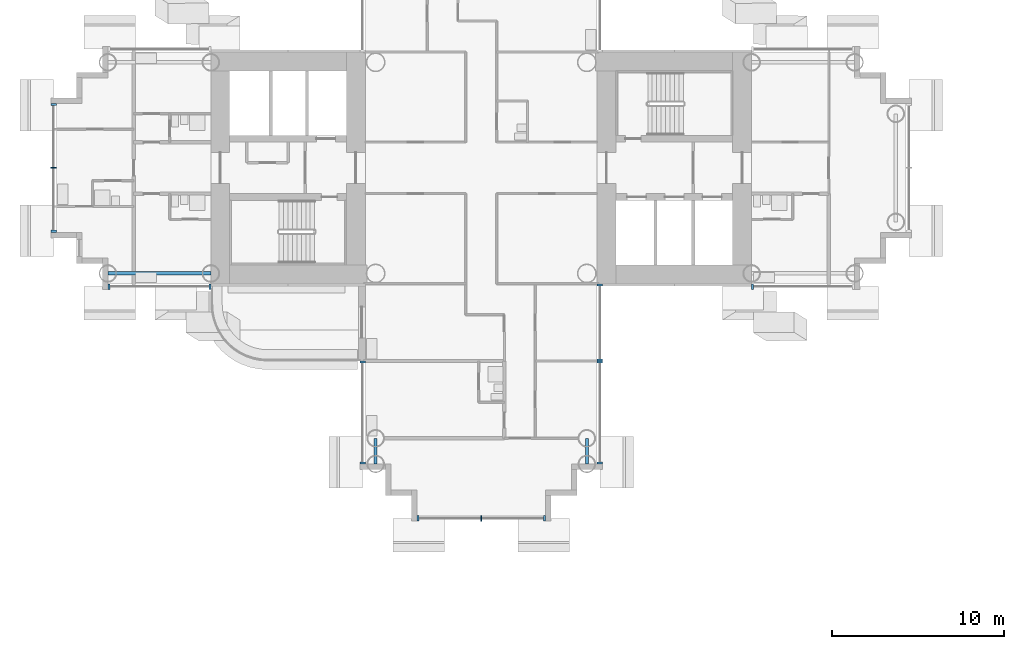
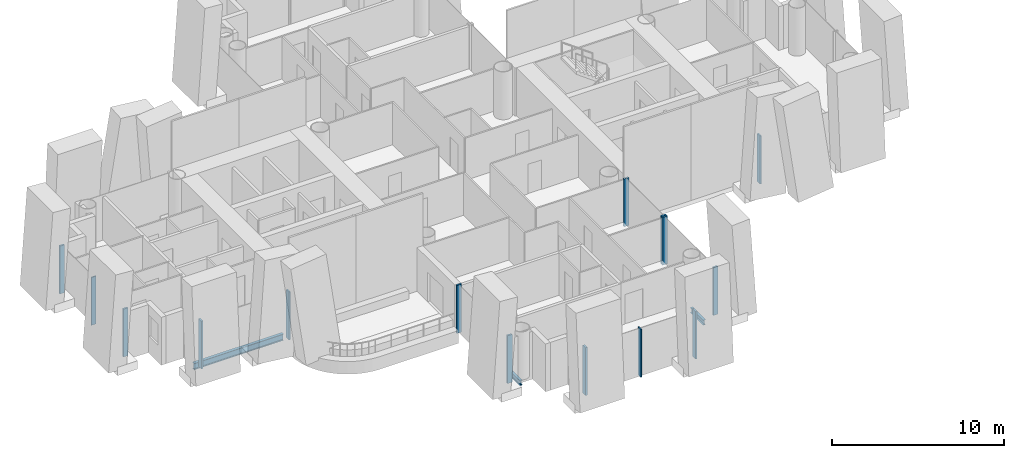
# One storey, part 3 of 24: 15 members, 3 beams, 7 elements without a shape of their own.
"""IFC4 building model written with IfcOpenShell, lengths in metres."""

from ifc_helpers import new_model, si_unit, direction, frame, origin, origin_2d, place, context, subcontext, project, spatial, rectangle, i_section, extrude, material, layer, layer_set, material_profile, profile_set, type_object, element, aggregate, save


model = new_model("IFC4")

# Units and contexts
model_context = context("Model", 3, precision=1e-05, world=origin(), true_north=direction((0.0, 1.0)))
body_context = subcontext(model_context, "Body", "Model", "MODEL_VIEW")
ifc_project = project(units=[si_unit("LENGTHUNIT", "METRE"), si_unit("AREAUNIT", "SQUARE_METRE"), si_unit("VOLUMEUNIT", "CUBIC_METRE"), si_unit("PLANEANGLEUNIT", "RADIAN"), si_unit("MASSUNIT", "GRAM", prefix="KILO")], contexts=[model_context])

# Site, building, storey
site_placement = place(None, origin())
site = spatial("IfcSite", under=ifc_project, at=site_placement, CompositionType="ELEMENT")
building_placement = place(site_placement, origin())
building = spatial("IfcBuilding", under=site, at=building_placement, Name="Ipe Terrace Towers", CompositionType="ELEMENT")
storey_placement = place(building_placement, frame((0.0, 0.0, 38.10009765625)))
storey = spatial("IfcBuildingStorey", under=building, at=storey_placement, Name="L09", CompositionType="ELEMENT", Elevation=38.10009765625)

# Beams
ifc_material_1 = material(Name="Steel S355", Category="steel")
ifc_material_profile_1 = material_profile(ifc_material_1, i_section(OverallWidth=0.175048828125, OverallDepth=0.35009765625, WebThickness=0.007080078125, FlangeThickness=0.010986328125, at=origin_2d()), Name="H-350x175x7x11")
ifc_profile_set_1 = profile_set([ifc_material_profile_1], Name="Steel S355")
beam_type_1 = type_object("IfcBeamType", Name="H04 EDGE BEAM H-350x175x7x11", PredefinedType="BEAM", material=ifc_profile_set_1)
for number, where, z_axis, x_axis, name in (
    (1, (-42.14990234375, -15.75, -0.5751953125), (0.0, -1.0, 0.0), (1.0, 0.0, 0.0), "Edge beam T1-EB-D03-D05"),
    (2, (-29.85009765625, -15.75, -0.5751953125), (0.0, -1.0, 0.0), (1.0, 0.0, 0.0), "Edge beam T1-EB-D04-D06"),
):
    element("IfcBeam", number, at=place(storey_placement, frame(where, z_axis=z_axis, x_axis=x_axis)), inside=storey, type_object=beam_type_1, Name=name, PredefinedType="BEAM", context=body_context, shape_type="SweptSolid", body=[
        extrude(i_section(OverallWidth=0.175048828125, OverallDepth=0.35009765625, WebThickness=0.007080078125, FlangeThickness=0.010986328125, at=origin_2d()), origin(), (0.0, 0.0, 1.0), 1.5),
    ])
ifc_material_2 = material(Name="Steel S355", Category="steel")
ifc_material_profile_2 = material_profile(ifc_material_2, i_section(OverallWidth=0.199951171875, OverallDepth=0.449951171875, WebThickness=0.009033203125, FlangeThickness=0.013916015625, at=origin_2d()), Name="H-450x200x9x14")
ifc_profile_set_2 = profile_set([ifc_material_profile_2], Name="Steel S355")
beam_type_2 = type_object("IfcBeamType", Name="H08 EDGE BEAM H-450x200x9x14", PredefinedType="BEAM", material=ifc_profile_set_2)
beam_placement = place(storey_placement, frame((-51.75, -6.14990234375, -0.625), z_axis=(-1.0, 0.0, 0.0), x_axis=(0.0, -1.0, 0.0)))
element("IfcBeam", 3, at=beam_placement, inside=storey, type_object=beam_type_2, Name="Edge beam T1-EB-C01-C03", PredefinedType="BEAM", context=body_context, shape_type="SweptSolid", body=[
    extrude(i_section(OverallWidth=0.199951171875, OverallDepth=0.449951171875, WebThickness=0.009033203125, FlangeThickness=0.013916015625, at=origin_2d()), origin(), (0.0, 0.0, 1.0), 6.0),
])

# Curtain wall, members
ifc_material_3 = material(Name="Aluminium alloy 6063-T6", Category="aluminium")
ifc_layer = layer(ifc_material_3, 0.320068359375)
ifc_layer_set = layer_set([ifc_layer], Name="TOWER UNITISED CURTAIN WALL")
curtain_wall_type = type_object("IfcCurtainWallType", Name="TOWER UNITISED CURTAIN WALL", PredefinedType="NOTDEFINED", material=ifc_layer_set)
curtain_wall_1_placement = place(storey_placement, origin())
curtain_wall_1 = element("IfcCurtainWall", 4, at=curtain_wall_1_placement, inside=storey, type_object=curtain_wall_type, Name="T1-CW-L09-04a curtain wall", PredefinedType="NOTDEFINED")
ifc_material_4 = material(Name="Aluminium alloy 6063-T6", Category="aluminium")
ifc_material_profile_3 = material_profile(ifc_material_4, rectangle(XDim=0.320068359375, YDim=0.1201171875, at=origin_2d()), Name="TOWER UNITISED CORNER MULLION 320 x 120")
ifc_profile_set_3 = profile_set([ifc_material_profile_3], Name="Aluminium alloy 6063-T6")
member_type_1 = type_object("IfcMemberType", Name="TOWER UNITISED CORNER MULLION 320 x 120", PredefinedType="MULLION", material=ifc_profile_set_3)
member_1_placement = place(storey_placement, frame((-57.68994140625, -6.909912109375, -0.300048828125), z_axis=(0.0, 0.0, 1.0), x_axis=(0.0, -1.0, 0.0)))
member_1 = element("IfcMember", 5, at=member_1_placement, type_object=member_type_1, Name="T1-CW-L09-04a mullion 1", PredefinedType="MULLION", context=body_context, shape_type="SweptSolid", body=[
    extrude(rectangle(XDim=0.320068359375, YDim=0.1201171875, at=origin_2d()), origin(), (0.0, 0.0, 1.0), 3.39990234375),
])
member_2_placement = place(storey_placement, frame((-51.81103515625, -6.909912109375, -0.300048828125), z_axis=(0.0, 0.0, 1.0), x_axis=(0.0, -1.0, 0.0)))
member_2 = element("IfcMember", 6, at=member_2_placement, type_object=member_type_1, Name="T1-CW-L09-04a mullion 2", PredefinedType="MULLION", context=body_context, shape_type="SweptSolid", body=[
    extrude(rectangle(XDim=0.320068359375, YDim=0.1201171875, at=origin_2d()), origin(), (0.0, 0.0, 1.0), 3.39990234375),
])
aggregate(curtain_wall_1, [member_1, member_2])

curtain_wall_2_placement = place(storey_placement, origin())
curtain_wall_2 = element("IfcCurtainWall", 7, at=curtain_wall_2_placement, inside=storey, type_object=curtain_wall_type, Name="T1-CW-L09-07a curtain wall", PredefinedType="NOTDEFINED")
member_3_placement = place(storey_placement, frame((-42.909912109375, -11.31005859375, -0.300048828125), z_axis=(0.0, 0.0, 1.0), x_axis=(-1.0, 0.0, 0.0)))
member_3 = element("IfcMember", 8, at=member_3_placement, type_object=member_type_1, Name="T1-CW-L09-07a mullion 1", PredefinedType="MULLION", context=body_context, shape_type="SweptSolid", body=[
    extrude(rectangle(XDim=0.320068359375, YDim=0.1201171875, at=origin_2d()), origin(), (0.0, 0.0, 1.0), 3.39990234375),
])
member_4_placement = place(storey_placement, frame((-42.909912109375, -17.18994140625, -0.300048828125), z_axis=(0.0, 0.0, 1.0), x_axis=(-1.0, 0.0, 0.0)))
member_4 = element("IfcMember", 9, at=member_4_placement, type_object=member_type_1, Name="T1-CW-L09-07a mullion 2", PredefinedType="MULLION", context=body_context, shape_type="SweptSolid", body=[
    extrude(rectangle(XDim=0.320068359375, YDim=0.1201171875, at=origin_2d()), origin(), (0.0, 0.0, 1.0), 3.39990234375),
])
aggregate(curtain_wall_2, [member_3, member_4])

curtain_wall_3_placement = place(storey_placement, origin())
curtain_wall_3 = element("IfcCurtainWall", 10, at=curtain_wall_3_placement, inside=storey, type_object=curtain_wall_type, Name="T1-CW-L09-12a curtain wall", PredefinedType="NOTDEFINED")
member_5_placement = place(storey_placement, frame((-39.68994140625, -20.409912109375, -0.300048828125), z_axis=(0.0, 0.0, 1.0), x_axis=(0.0, -1.0, 0.0)))
member_5 = element("IfcMember", 11, at=member_5_placement, type_object=member_type_1, Name="T1-CW-L09-12a mullion 1", PredefinedType="MULLION", context=body_context, shape_type="SweptSolid", body=[
    extrude(rectangle(XDim=0.320068359375, YDim=0.1201171875, at=origin_2d()), origin(), (0.0, 0.0, 1.0), 3.39990234375),
])
member_6_placement = place(storey_placement, frame((-32.31005859375, -20.409912109375, -0.300048828125), z_axis=(0.0, 0.0, 1.0), x_axis=(0.0, -1.0, 0.0)))
member_6 = element("IfcMember", 12, at=member_6_placement, type_object=member_type_1, Name="T1-CW-L09-12a mullion 3", PredefinedType="MULLION", context=body_context, shape_type="SweptSolid", body=[
    extrude(rectangle(XDim=0.320068359375, YDim=0.1201171875, at=origin_2d()), origin(), (0.0, 0.0, 1.0), 3.39990234375),
])

curtain_wall_4_placement = place(storey_placement, origin())
curtain_wall_4 = element("IfcCurtainWall", 13, at=curtain_wall_4_placement, inside=storey, type_object=curtain_wall_type, Name="T1-CW-L09-17a curtain wall", PredefinedType="NOTDEFINED")
member_7_placement = place(storey_placement, frame((-29.090087890625, -17.18994140625, -0.300048828125), z_axis=(0.0, 0.0, 1.0), x_axis=(1.0, 0.0, 0.0)))
member_7 = element("IfcMember", 14, at=member_7_placement, type_object=member_type_1, Name="T1-CW-L09-17a mullion 1", PredefinedType="MULLION", context=body_context, shape_type="SweptSolid", body=[
    extrude(rectangle(XDim=0.320068359375, YDim=0.1201171875, at=origin_2d()), origin(), (0.0, 0.0, 1.0), 3.39990234375),
])
member_8_placement = place(storey_placement, frame((-29.090087890625, -11.31005859375, -0.300048828125), z_axis=(0.0, 0.0, 1.0), x_axis=(1.0, 0.0, 0.0)))
member_8 = element("IfcMember", 15, at=member_8_placement, type_object=member_type_1, Name="T1-CW-L09-17a mullion 2", PredefinedType="MULLION", context=body_context, shape_type="SweptSolid", body=[
    extrude(rectangle(XDim=0.320068359375, YDim=0.1201171875, at=origin_2d()), origin(), (0.0, 0.0, 1.0), 3.39990234375),
])
aggregate(curtain_wall_4, [member_7, member_8])

curtain_wall_5_placement = place(storey_placement, origin())
curtain_wall_5 = element("IfcCurtainWall", 16, at=curtain_wall_5_placement, inside=storey, type_object=curtain_wall_type, Name="T1-CW-L09-18a curtain wall", PredefinedType="NOTDEFINED")
member_9_placement = place(storey_placement, frame((-29.090087890625, -11.18994140625, -0.300048828125), z_axis=(0.0, 0.0, 1.0), x_axis=(1.0, 0.0, 0.0)))
member_9 = element("IfcMember", 17, at=member_9_placement, type_object=member_type_1, Name="T1-CW-L09-18a mullion 1", PredefinedType="MULLION", context=body_context, shape_type="SweptSolid", body=[
    extrude(rectangle(XDim=0.320068359375, YDim=0.1201171875, at=origin_2d()), origin(), (0.0, 0.0, 1.0), 3.39990234375),
])
member_10_placement = place(storey_placement, frame((-29.090087890625, -6.81005859375, -0.300048828125), z_axis=(0.0, 0.0, 1.0), x_axis=(1.0, 0.0, 0.0)))
member_10 = element("IfcMember", 18, at=member_10_placement, type_object=member_type_1, Name="T1-CW-L09-18a mullion 2", PredefinedType="MULLION", context=body_context, shape_type="SweptSolid", body=[
    extrude(rectangle(XDim=0.320068359375, YDim=0.1201171875, at=origin_2d()), origin(), (0.0, 0.0, 1.0), 3.39990234375),
])
aggregate(curtain_wall_5, [member_9, member_10])

# Curtain wall, member
curtain_wall_6_placement = place(storey_placement, origin())
curtain_wall_6 = element("IfcCurtainWall", 19, at=curtain_wall_6_placement, inside=storey, type_object=curtain_wall_type, Name="T1-CW-L09-20b curtain wall", PredefinedType="NOTDEFINED")
member_11_placement = place(storey_placement, frame((-20.18896484375, -6.909912109375, -0.300048828125), z_axis=(0.0, 0.0, 1.0), x_axis=(0.0, -1.0, 0.0)))
member_11 = element("IfcMember", 20, at=member_11_placement, type_object=member_type_1, Name="T1-CW-L09-20b mullion 1", PredefinedType="MULLION", context=body_context, shape_type="SweptSolid", body=[
    extrude(rectangle(XDim=0.320068359375, YDim=0.1201171875, at=origin_2d()), origin(), (0.0, 0.0, 1.0), 3.39990234375),
])
aggregate(curtain_wall_6, [member_11])

# Curtain wall, members
curtain_wall_7_placement = place(storey_placement, origin())
curtain_wall_7 = element("IfcCurtainWall", 21, at=curtain_wall_7_placement, inside=storey, type_object=curtain_wall_type, Name="T1-CW-L09-51a curtain wall", PredefinedType="NOTDEFINED")
member_12_placement = place(storey_placement, frame((-60.909912109375, 3.68994140625, -0.300048828125), z_axis=(0.0, 0.0, 1.0), x_axis=(-1.0, 0.0, 0.0)))
member_12 = element("IfcMember", 22, at=member_12_placement, type_object=member_type_1, Name="T1-CW-L09-51a mullion 1", PredefinedType="MULLION", context=body_context, shape_type="SweptSolid", body=[
    extrude(rectangle(XDim=0.320068359375, YDim=0.1201171875, at=origin_2d()), origin(), (0.0, 0.0, 1.0), 3.39990234375),
])
member_13_placement = place(storey_placement, frame((-60.909912109375, -3.68994140625, -0.300048828125), z_axis=(0.0, 0.0, 1.0), x_axis=(-1.0, 0.0, 0.0)))
member_13 = element("IfcMember", 23, at=member_13_placement, type_object=member_type_1, Name="T1-CW-L09-51a mullion 3", PredefinedType="MULLION", context=body_context, shape_type="SweptSolid", body=[
    extrude(rectangle(XDim=0.320068359375, YDim=0.1201171875, at=origin_2d()), origin(), (0.0, 0.0, 1.0), 3.39990234375),
])

# Member
ifc_material_5 = material(Name="Aluminium alloy 6063-T6", Category="aluminium")
ifc_material_profile_4 = material_profile(ifc_material_5, rectangle(XDim=0.320068359375, YDim=0.06494140625, at=origin_2d()), Name="TOWER UNITISED MULLION 320 x 65")
ifc_profile_set_4 = profile_set([ifc_material_profile_4], Name="Aluminium alloy 6063-T6")
member_type_2 = type_object("IfcMemberType", Name="TOWER UNITISED MULLION 320 x 65", PredefinedType="MULLION", material=ifc_profile_set_4)
member_14_placement = place(storey_placement, frame((-36.0, -20.409912109375, -0.300048828125), z_axis=(0.0, 0.0, 1.0), x_axis=(0.0, -1.0, 0.0)))
member_14 = element("IfcMember", 24, at=member_14_placement, type_object=member_type_2, Name="T1-CW-L09-12a mullion 2", PredefinedType="MULLION", context=body_context, shape_type="SweptSolid", body=[
    extrude(rectangle(XDim=0.320068359375, YDim=0.06494140625, at=origin_2d()), origin(), (0.0, 0.0, 1.0), 3.39990234375),
])

aggregate(curtain_wall_3, [member_5, member_14, member_6])

member_15_placement = place(storey_placement, frame((-60.909912109375, 0.0, -0.300048828125), z_axis=(0.0, 0.0, 1.0), x_axis=(-1.0, 0.0, 0.0)))
member_15 = element("IfcMember", 25, at=member_15_placement, type_object=member_type_2, Name="T1-CW-L09-51a mullion 2", PredefinedType="MULLION", context=body_context, shape_type="SweptSolid", body=[
    extrude(rectangle(XDim=0.320068359375, YDim=0.06494140625, at=origin_2d()), origin(), (0.0, 0.0, 1.0), 3.39990234375),
])

aggregate(curtain_wall_7, [member_12, member_15, member_13])

save(model, "model.ifc")
